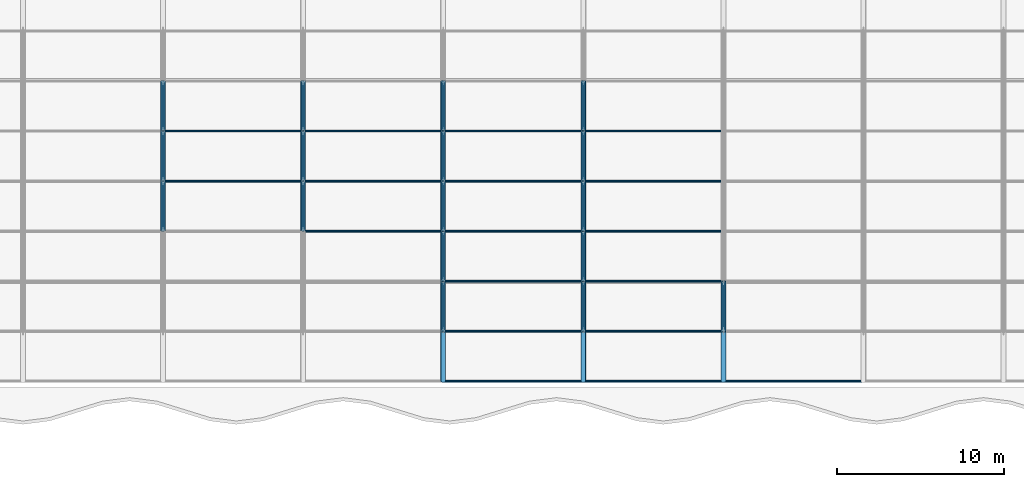
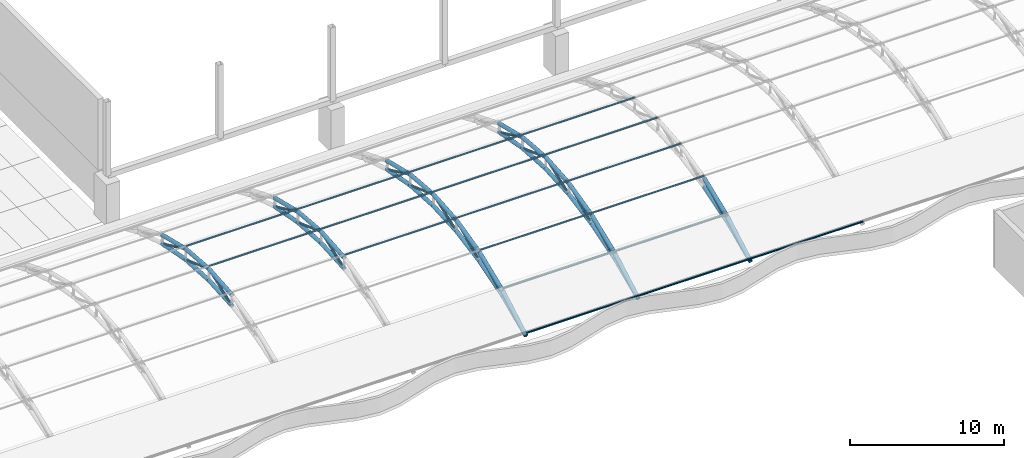
# One storey, part 47 of 163: 75 members.
"""IFC4 building model written with IfcOpenShell, lengths in metres."""

from ifc_helpers import new_model, si_unit, direction, frame, origin, origin_2d, place, context, subcontext, project, spatial, hollow_circle, extrude, material, material_profile, profile_set, type_object, element, save


model = new_model("IFC4")

# Units and contexts
model_context = context("Model", 3, precision=1e-05, world=origin(), true_north=direction((0.0, 1.0)))
body_context = subcontext(model_context, "Body", "Model", "MODEL_VIEW")
ifc_project = project(units=[si_unit("LENGTHUNIT", "METRE"), si_unit("AREAUNIT", "SQUARE_METRE"), si_unit("VOLUMEUNIT", "CUBIC_METRE"), si_unit("PLANEANGLEUNIT", "RADIAN"), si_unit("MASSUNIT", "GRAM", prefix="KILO")], contexts=[model_context])

# Site, building, storey
site_placement = place(None, origin())
site = spatial("IfcSite", under=ifc_project, at=site_placement, CompositionType="ELEMENT")
building_placement = place(site_placement, origin())
building = spatial("IfcBuilding", under=site, at=building_placement, Name="Rain Tree Exposition and Congress Centre", CompositionType="ELEMENT")
storey_placement = place(building_placement, frame((0.0, 0.0, 10.5)))
storey = spatial("IfcBuildingStorey", under=building, at=storey_placement, Name="L02", CompositionType="ELEMENT", Elevation=10.5)

# Members
ifc_material_1 = material(Name="Steel S355J2H", Category="steel")
ifc_material_profile_1 = material_profile(ifc_material_1, hollow_circle(Radius=0.090087890625, WallThickness=0.008056640625, at=origin_2d()), Name="CHS 180x8")
ifc_profile_set_1 = profile_set([ifc_material_profile_1], Name="Steel S355J2H")
member_type_1 = type_object("IfcMemberType", Name="Steel brace member CHS 180x8", PredefinedType="BRACE", material=ifc_profile_set_1)
for number, where, z_axis, x_axis, name in (
    (1, (142.800048828125, 84.60009765625, 2.9423828125), (0.0, 0.940121356633, 0.340839896143), (-1.0, 0.0, 0.0), "Roof truss 18 diagonal 3"),
    (2, (142.800048828125, 90.60009765625, 2.9423828125), (0.0, -0.940121356633, 0.340839896143), (1.0, 0.0, 0.0), "Roof truss 18 diagonal 4"),
):
    element("IfcMember", number, at=place(storey_placement, frame(where, z_axis=z_axis, x_axis=x_axis)), inside=storey, type_object=member_type_1, Name=name, PredefinedType="BRACE", context=body_context, shape_type="SweptSolid", body=[
        extrude(hollow_circle(Radius=0.090087890625, WallThickness=0.008056640625, at=origin_2d()), origin(), (0.0, 0.0, 1.0), 3.191162109375),
    ])
member_1_placement = place(storey_placement, frame((142.800048828125, 93.60009765625, 2.3798828125), z_axis=(0.0, -0.905430616583, 0.424494285655), x_axis=(1.0, 0.0, 0.0)))
element("IfcMember", 3, at=member_1_placement, inside=storey, type_object=member_type_1, Name="Roof truss 18 diagonal 5", PredefinedType="BRACE", context=body_context, shape_type="SweptSolid", body=[
    extrude(hollow_circle(Radius=0.090087890625, WallThickness=0.008056640625, at=origin_2d()), origin(), (0.0, 0.0, 1.0), 3.313232421875),
])
for number, where, z_axis, x_axis, name in (
    (4, (151.199951171875, 84.60009765625, 2.9423828125), (0.0, 0.940121356633, 0.340839896143), (-1.0, 0.0, 0.0), "Roof truss 19 diagonal 3"),
    (5, (151.199951171875, 90.60009765625, 2.9423828125), (0.0, -0.940121356633, 0.340839896143), (1.0, 0.0, 0.0), "Roof truss 19 diagonal 4"),
):
    element("IfcMember", number, at=place(storey_placement, frame(where, z_axis=z_axis, x_axis=x_axis)), inside=storey, type_object=member_type_1, Name=name, PredefinedType="BRACE", context=body_context, shape_type="SweptSolid", body=[
        extrude(hollow_circle(Radius=0.090087890625, WallThickness=0.008056640625, at=origin_2d()), origin(), (0.0, 0.0, 1.0), 3.191162109375),
    ])
member_2_placement = place(storey_placement, frame((151.199951171875, 93.60009765625, 2.3798828125), z_axis=(0.0, -0.905430616583, 0.424494285655), x_axis=(1.0, 0.0, 0.0)))
element("IfcMember", 6, at=member_2_placement, inside=storey, type_object=member_type_1, Name="Roof truss 19 diagonal 5", PredefinedType="BRACE", context=body_context, shape_type="SweptSolid", body=[
    extrude(hollow_circle(Radius=0.090087890625, WallThickness=0.008056640625, at=origin_2d()), origin(), (0.0, 0.0, 1.0), 3.313232421875),
])
member_3_placement = place(storey_placement, frame((159.60009765625, 78.60009765625, 1.4423828125), z_axis=(0.0, 0.880818418444, 0.473454236151), x_axis=(-1.0, 0.0, 0.0)))
element("IfcMember", 7, at=member_3_placement, inside=storey, type_object=member_type_1, Name="Roof truss 20 diagonal 1", PredefinedType="BRACE", context=body_context, shape_type="SweptSolid", body=[
    extrude(hollow_circle(Radius=0.090087890625, WallThickness=0.008056640625, at=origin_2d()), origin(), (0.0, 0.0, 1.0), 3.406005859375),
])
member_4_placement = place(storey_placement, frame((159.60009765625, 81.60009765625, 2.3798828125), z_axis=(0.0, 0.905430616583, 0.424494285655), x_axis=(-1.0, 0.0, 0.0)))
element("IfcMember", 8, at=member_4_placement, inside=storey, type_object=member_type_1, Name="Roof truss 20 diagonal 2", PredefinedType="BRACE", context=body_context, shape_type="SweptSolid", body=[
    extrude(hollow_circle(Radius=0.090087890625, WallThickness=0.008056640625, at=origin_2d()), origin(), (0.0, 0.0, 1.0), 3.313232421875),
])
for number, where, z_axis, x_axis, name in (
    (9, (159.60009765625, 84.60009765625, 2.9423828125), (0.0, 0.940121356633, 0.340839896143), (-1.0, 0.0, 0.0), "Roof truss 20 diagonal 3"),
    (10, (159.60009765625, 90.60009765625, 2.9423828125), (0.0, -0.940121356633, 0.340839896143), (1.0, 0.0, 0.0), "Roof truss 20 diagonal 4"),
):
    element("IfcMember", number, at=place(storey_placement, frame(where, z_axis=z_axis, x_axis=x_axis)), inside=storey, type_object=member_type_1, Name=name, PredefinedType="BRACE", context=body_context, shape_type="SweptSolid", body=[
        extrude(hollow_circle(Radius=0.090087890625, WallThickness=0.008056640625, at=origin_2d()), origin(), (0.0, 0.0, 1.0), 3.191162109375),
    ])
member_5_placement = place(storey_placement, frame((159.60009765625, 93.60009765625, 2.3798828125), z_axis=(0.0, -0.905430616583, 0.424494285655), x_axis=(1.0, 0.0, 0.0)))
element("IfcMember", 11, at=member_5_placement, inside=storey, type_object=member_type_1, Name="Roof truss 20 diagonal 5", PredefinedType="BRACE", context=body_context, shape_type="SweptSolid", body=[
    extrude(hollow_circle(Radius=0.090087890625, WallThickness=0.008056640625, at=origin_2d()), origin(), (0.0, 0.0, 1.0), 3.313232421875),
])
member_6_placement = place(storey_placement, frame((168.0, 78.60009765625, 1.4423828125), z_axis=(0.0, 0.880818418444, 0.473454236151), x_axis=(-1.0, 0.0, 0.0)))
element("IfcMember", 12, at=member_6_placement, inside=storey, type_object=member_type_1, Name="Roof truss 21 diagonal 1", PredefinedType="BRACE", context=body_context, shape_type="SweptSolid", body=[
    extrude(hollow_circle(Radius=0.090087890625, WallThickness=0.008056640625, at=origin_2d()), origin(), (0.0, 0.0, 1.0), 3.406005859375),
])
member_7_placement = place(storey_placement, frame((168.0, 81.60009765625, 2.3798828125), z_axis=(0.0, 0.905430616583, 0.424494285655), x_axis=(-1.0, 0.0, 0.0)))
element("IfcMember", 13, at=member_7_placement, inside=storey, type_object=member_type_1, Name="Roof truss 21 diagonal 2", PredefinedType="BRACE", context=body_context, shape_type="SweptSolid", body=[
    extrude(hollow_circle(Radius=0.090087890625, WallThickness=0.008056640625, at=origin_2d()), origin(), (0.0, 0.0, 1.0), 3.313232421875),
])
for number, where, z_axis, x_axis, name in (
    (14, (168.0, 84.60009765625, 2.9423828125), (0.0, 0.940121356633, 0.340839896143), (-1.0, 0.0, 0.0), "Roof truss 21 diagonal 3"),
    (15, (168.0, 90.60009765625, 2.9423828125), (0.0, -0.940121356633, 0.340839896143), (1.0, 0.0, 0.0), "Roof truss 21 diagonal 4"),
):
    element("IfcMember", number, at=place(storey_placement, frame(where, z_axis=z_axis, x_axis=x_axis)), inside=storey, type_object=member_type_1, Name=name, PredefinedType="BRACE", context=body_context, shape_type="SweptSolid", body=[
        extrude(hollow_circle(Radius=0.090087890625, WallThickness=0.008056640625, at=origin_2d()), origin(), (0.0, 0.0, 1.0), 3.191162109375),
    ])
member_8_placement = place(storey_placement, frame((168.0, 93.60009765625, 2.3798828125), z_axis=(0.0, -0.905430616583, 0.424494285655), x_axis=(1.0, 0.0, 0.0)))
element("IfcMember", 16, at=member_8_placement, inside=storey, type_object=member_type_1, Name="Roof truss 21 diagonal 5", PredefinedType="BRACE", context=body_context, shape_type="SweptSolid", body=[
    extrude(hollow_circle(Radius=0.090087890625, WallThickness=0.008056640625, at=origin_2d()), origin(), (0.0, 0.0, 1.0), 3.313232421875),
])
member_9_placement = place(storey_placement, frame((176.39990234375, 78.60009765625, 1.4423828125), z_axis=(0.0, 0.880818418444, 0.473454236151), x_axis=(-1.0, 0.0, 0.0)))
element("IfcMember", 17, at=member_9_placement, inside=storey, type_object=member_type_1, Name="Roof truss 22 diagonal 1", PredefinedType="BRACE", context=body_context, shape_type="SweptSolid", body=[
    extrude(hollow_circle(Radius=0.090087890625, WallThickness=0.008056640625, at=origin_2d()), origin(), (0.0, 0.0, 1.0), 3.406005859375),
])
ifc_material_2 = material(Name="Steel S355J2H", Category="steel")
ifc_material_profile_2 = material_profile(ifc_material_2, hollow_circle(Radius=0.14990234375, WallThickness=0.013916015625, at=origin_2d()), Name="CHS 300x14")
ifc_profile_set_2 = profile_set([ifc_material_profile_2], Name="Steel S355J2H")
member_type_2 = type_object("IfcMemberType", Name="Steel chord member CHS 300x14", PredefinedType="CHORD", material=ifc_profile_set_2)
member_10_placement = place(storey_placement, frame((142.800048828125, 84.60009765625, 3.786376953125), z_axis=(0.0, 0.996718090462, 0.0809508996), x_axis=(-1.0, 0.0, 0.0)))
element("IfcMember", 18, at=member_10_placement, inside=storey, type_object=member_type_2, Name="Roof truss 18 top chord 4", PredefinedType="CHORD", context=body_context, shape_type="SweptSolid", body=[
    extrude(hollow_circle(Radius=0.14990234375, WallThickness=0.013916015625, at=origin_2d()), origin(), (0.0, 0.0, 1.0), 3.009765625),
])
member_11_placement = place(storey_placement, frame((142.800048828125, 84.60009765625, 2.9423828125), z_axis=(0.0, 0.998052578483, 0.062378286155), x_axis=(-1.0, 0.0, 0.0)))
element("IfcMember", 19, at=member_11_placement, inside=storey, type_object=member_type_2, Name="Roof truss 18 bottom chord 4", PredefinedType="CHORD", context=body_context, shape_type="SweptSolid", body=[
    extrude(hollow_circle(Radius=0.14990234375, WallThickness=0.013916015625, at=origin_2d()), origin(), (0.0, 0.0, 1.0), 3.005859375),
])
member_12_placement = place(storey_placement, frame((142.800048828125, 87.60009765625, 4.030029296875), z_axis=(0.0, 0.996718090462, -0.0809508996), x_axis=(-1.0, 0.0, 0.0)))
element("IfcMember", 20, at=member_12_placement, inside=storey, type_object=member_type_2, Name="Roof truss 18 top chord 5", PredefinedType="CHORD", context=body_context, shape_type="SweptSolid", body=[
    extrude(hollow_circle(Radius=0.14990234375, WallThickness=0.013916015625, at=origin_2d()), origin(), (0.0, 0.0, 1.0), 3.009765625),
])
member_13_placement = place(storey_placement, frame((142.800048828125, 87.60009765625, 3.1298828125), z_axis=(0.0, 0.998052578483, -0.062378286155), x_axis=(-1.0, 0.0, 0.0)))
element("IfcMember", 21, at=member_13_placement, inside=storey, type_object=member_type_2, Name="Roof truss 18 bottom chord 5", PredefinedType="CHORD", context=body_context, shape_type="SweptSolid", body=[
    extrude(hollow_circle(Radius=0.14990234375, WallThickness=0.013916015625, at=origin_2d()), origin(), (0.0, 0.0, 1.0), 3.005859375),
])
member_14_placement = place(storey_placement, frame((142.800048828125, 90.60009765625, 3.786376953125), z_axis=(0.0, 0.971539868448, -0.236876094228), x_axis=(-1.0, 0.0, 0.0)))
element("IfcMember", 22, at=member_14_placement, inside=storey, type_object=member_type_2, Name="Roof truss 18 top chord 6", PredefinedType="CHORD", context=body_context, shape_type="SweptSolid", body=[
    extrude(hollow_circle(Radius=0.14990234375, WallThickness=0.013916015625, at=origin_2d()), origin(), (0.0, 0.0, 1.0), 3.087890625),
])
member_15_placement = place(storey_placement, frame((142.800048828125, 90.60009765625, 2.9423828125), z_axis=(0.0, 0.982872186934, -0.18428853505), x_axis=(-1.0, 0.0, 0.0)))
element("IfcMember", 23, at=member_15_placement, inside=storey, type_object=member_type_2, Name="Roof truss 18 bottom chord 6", PredefinedType="CHORD", context=body_context, shape_type="SweptSolid", body=[
    extrude(hollow_circle(Radius=0.14990234375, WallThickness=0.013916015625, at=origin_2d()), origin(), (0.0, 0.0, 1.0), 3.05224609375),
])
member_16_placement = place(storey_placement, frame((151.199951171875, 84.60009765625, 3.786376953125), z_axis=(0.0, 0.996718090462, 0.0809508996), x_axis=(-1.0, 0.0, 0.0)))
element("IfcMember", 24, at=member_16_placement, inside=storey, type_object=member_type_2, Name="Roof truss 19 top chord 4", PredefinedType="CHORD", context=body_context, shape_type="SweptSolid", body=[
    extrude(hollow_circle(Radius=0.14990234375, WallThickness=0.013916015625, at=origin_2d()), origin(), (0.0, 0.0, 1.0), 3.009765625),
])
member_17_placement = place(storey_placement, frame((151.199951171875, 84.60009765625, 2.9423828125), z_axis=(0.0, 0.998052578483, 0.062378286155), x_axis=(-1.0, 0.0, 0.0)))
element("IfcMember", 25, at=member_17_placement, inside=storey, type_object=member_type_2, Name="Roof truss 19 bottom chord 4", PredefinedType="CHORD", context=body_context, shape_type="SweptSolid", body=[
    extrude(hollow_circle(Radius=0.14990234375, WallThickness=0.013916015625, at=origin_2d()), origin(), (0.0, 0.0, 1.0), 3.005859375),
])
member_18_placement = place(storey_placement, frame((151.199951171875, 87.60009765625, 4.030029296875), z_axis=(0.0, 0.996718090462, -0.0809508996), x_axis=(-1.0, 0.0, 0.0)))
element("IfcMember", 26, at=member_18_placement, inside=storey, type_object=member_type_2, Name="Roof truss 19 top chord 5", PredefinedType="CHORD", context=body_context, shape_type="SweptSolid", body=[
    extrude(hollow_circle(Radius=0.14990234375, WallThickness=0.013916015625, at=origin_2d()), origin(), (0.0, 0.0, 1.0), 3.009765625),
])
member_19_placement = place(storey_placement, frame((151.199951171875, 87.60009765625, 3.1298828125), z_axis=(0.0, 0.998052578483, -0.062378286155), x_axis=(-1.0, 0.0, 0.0)))
element("IfcMember", 27, at=member_19_placement, inside=storey, type_object=member_type_2, Name="Roof truss 19 bottom chord 5", PredefinedType="CHORD", context=body_context, shape_type="SweptSolid", body=[
    extrude(hollow_circle(Radius=0.14990234375, WallThickness=0.013916015625, at=origin_2d()), origin(), (0.0, 0.0, 1.0), 3.005859375),
])
member_20_placement = place(storey_placement, frame((151.199951171875, 90.60009765625, 3.786376953125), z_axis=(0.0, 0.971539868448, -0.236876094228), x_axis=(-1.0, 0.0, 0.0)))
element("IfcMember", 28, at=member_20_placement, inside=storey, type_object=member_type_2, Name="Roof truss 19 top chord 6", PredefinedType="CHORD", context=body_context, shape_type="SweptSolid", body=[
    extrude(hollow_circle(Radius=0.14990234375, WallThickness=0.013916015625, at=origin_2d()), origin(), (0.0, 0.0, 1.0), 3.087890625),
])
member_21_placement = place(storey_placement, frame((151.199951171875, 90.60009765625, 2.9423828125), z_axis=(0.0, 0.982872186934, -0.18428853505), x_axis=(-1.0, 0.0, 0.0)))
element("IfcMember", 29, at=member_21_placement, inside=storey, type_object=member_type_2, Name="Roof truss 19 bottom chord 6", PredefinedType="CHORD", context=body_context, shape_type="SweptSolid", body=[
    extrude(hollow_circle(Radius=0.14990234375, WallThickness=0.013916015625, at=origin_2d()), origin(), (0.0, 0.0, 1.0), 3.05224609375),
])
member_22_placement = place(storey_placement, frame((159.60009765625, 75.60009765625, 0.1298828125), z_axis=(0.0, 0.869238262324, 0.494393409455), x_axis=(-1.0, 0.0, 0.0)))
element("IfcMember", 30, at=member_22_placement, inside=storey, type_object=member_type_2, Name="Roof truss 20 top chord 1", PredefinedType="CHORD", context=body_context, shape_type="SweptSolid", body=[
    extrude(hollow_circle(Radius=0.14990234375, WallThickness=0.013916015625, at=origin_2d()), origin(), (0.0, 0.0, 1.0), 3.451416015625),
])
member_23_placement = place(storey_placement, frame((159.60009765625, 75.60009765625, 0.1298828125), z_axis=(0.0, 0.916157334902, 0.40081883402), x_axis=(-1.0, 0.0, 0.0)))
element("IfcMember", 31, at=member_23_placement, inside=storey, type_object=member_type_2, Name="Roof truss 20 bottom chord 1", PredefinedType="CHORD", context=body_context, shape_type="SweptSolid", body=[
    extrude(hollow_circle(Radius=0.14990234375, WallThickness=0.013916015625, at=origin_2d()), origin(), (0.0, 0.0, 1.0), 3.274658203125),
])
member_24_placement = place(storey_placement, frame((159.60009765625, 78.60009765625, 1.836181640625), z_axis=(0.0, 0.926466577122, 0.376377046956), x_axis=(-1.0, 0.0, 0.0)))
element("IfcMember", 32, at=member_24_placement, inside=storey, type_object=member_type_2, Name="Roof truss 20 top chord 2", PredefinedType="CHORD", context=body_context, shape_type="SweptSolid", body=[
    extrude(hollow_circle(Radius=0.14990234375, WallThickness=0.013916015625, at=origin_2d()), origin(), (0.0, 0.0, 1.0), 3.238037109375),
])
member_25_placement = place(storey_placement, frame((159.60009765625, 78.60009765625, 1.4423828125), z_axis=(0.0, 0.954479978035, 0.298274993136), x_axis=(-1.0, 0.0, 0.0)))
element("IfcMember", 33, at=member_25_placement, inside=storey, type_object=member_type_2, Name="Roof truss 20 bottom chord 2", PredefinedType="CHORD", context=body_context, shape_type="SweptSolid", body=[
    extrude(hollow_circle(Radius=0.14990234375, WallThickness=0.013916015625, at=origin_2d()), origin(), (0.0, 0.0, 1.0), 3.14306640625),
])
member_26_placement = place(storey_placement, frame((159.60009765625, 81.60009765625, 3.054931640625), z_axis=(0.0, 0.971539868448, 0.236876094228), x_axis=(-1.0, 0.0, 0.0)))
element("IfcMember", 34, at=member_26_placement, inside=storey, type_object=member_type_2, Name="Roof truss 20 top chord 3", PredefinedType="CHORD", context=body_context, shape_type="SweptSolid", body=[
    extrude(hollow_circle(Radius=0.14990234375, WallThickness=0.013916015625, at=origin_2d()), origin(), (0.0, 0.0, 1.0), 3.087890625),
])
member_27_placement = place(storey_placement, frame((159.60009765625, 81.60009765625, 2.3798828125), z_axis=(0.0, 0.982872186934, 0.18428853505), x_axis=(-1.0, 0.0, 0.0)))
element("IfcMember", 35, at=member_27_placement, inside=storey, type_object=member_type_2, Name="Roof truss 20 bottom chord 3", PredefinedType="CHORD", context=body_context, shape_type="SweptSolid", body=[
    extrude(hollow_circle(Radius=0.14990234375, WallThickness=0.013916015625, at=origin_2d()), origin(), (0.0, 0.0, 1.0), 3.05224609375),
])
member_28_placement = place(storey_placement, frame((159.60009765625, 84.60009765625, 3.786376953125), z_axis=(0.0, 0.996718090462, 0.0809508996), x_axis=(-1.0, 0.0, 0.0)))
element("IfcMember", 36, at=member_28_placement, inside=storey, type_object=member_type_2, Name="Roof truss 20 top chord 4", PredefinedType="CHORD", context=body_context, shape_type="SweptSolid", body=[
    extrude(hollow_circle(Radius=0.14990234375, WallThickness=0.013916015625, at=origin_2d()), origin(), (0.0, 0.0, 1.0), 3.009765625),
])
member_29_placement = place(storey_placement, frame((159.60009765625, 84.60009765625, 2.9423828125), z_axis=(0.0, 0.998052578483, 0.062378286155), x_axis=(-1.0, 0.0, 0.0)))
element("IfcMember", 37, at=member_29_placement, inside=storey, type_object=member_type_2, Name="Roof truss 20 bottom chord 4", PredefinedType="CHORD", context=body_context, shape_type="SweptSolid", body=[
    extrude(hollow_circle(Radius=0.14990234375, WallThickness=0.013916015625, at=origin_2d()), origin(), (0.0, 0.0, 1.0), 3.005859375),
])
member_30_placement = place(storey_placement, frame((159.60009765625, 87.60009765625, 4.030029296875), z_axis=(0.0, 0.996718090462, -0.0809508996), x_axis=(-1.0, 0.0, 0.0)))
element("IfcMember", 38, at=member_30_placement, inside=storey, type_object=member_type_2, Name="Roof truss 20 top chord 5", PredefinedType="CHORD", context=body_context, shape_type="SweptSolid", body=[
    extrude(hollow_circle(Radius=0.14990234375, WallThickness=0.013916015625, at=origin_2d()), origin(), (0.0, 0.0, 1.0), 3.009765625),
])
member_31_placement = place(storey_placement, frame((159.60009765625, 87.60009765625, 3.1298828125), z_axis=(0.0, 0.998052578483, -0.062378286155), x_axis=(-1.0, 0.0, 0.0)))
element("IfcMember", 39, at=member_31_placement, inside=storey, type_object=member_type_2, Name="Roof truss 20 bottom chord 5", PredefinedType="CHORD", context=body_context, shape_type="SweptSolid", body=[
    extrude(hollow_circle(Radius=0.14990234375, WallThickness=0.013916015625, at=origin_2d()), origin(), (0.0, 0.0, 1.0), 3.005859375),
])
member_32_placement = place(storey_placement, frame((159.60009765625, 90.60009765625, 3.786376953125), z_axis=(0.0, 0.971539868448, -0.236876094228), x_axis=(-1.0, 0.0, 0.0)))
element("IfcMember", 40, at=member_32_placement, inside=storey, type_object=member_type_2, Name="Roof truss 20 top chord 6", PredefinedType="CHORD", context=body_context, shape_type="SweptSolid", body=[
    extrude(hollow_circle(Radius=0.14990234375, WallThickness=0.013916015625, at=origin_2d()), origin(), (0.0, 0.0, 1.0), 3.087890625),
])
member_33_placement = place(storey_placement, frame((159.60009765625, 90.60009765625, 2.9423828125), z_axis=(0.0, 0.982872186934, -0.18428853505), x_axis=(-1.0, 0.0, 0.0)))
element("IfcMember", 41, at=member_33_placement, inside=storey, type_object=member_type_2, Name="Roof truss 20 bottom chord 6", PredefinedType="CHORD", context=body_context, shape_type="SweptSolid", body=[
    extrude(hollow_circle(Radius=0.14990234375, WallThickness=0.013916015625, at=origin_2d()), origin(), (0.0, 0.0, 1.0), 3.05224609375),
])
member_34_placement = place(storey_placement, frame((168.0, 75.60009765625, 0.1298828125), z_axis=(0.0, 0.869238262324, 0.494393409455), x_axis=(-1.0, 0.0, 0.0)))
element("IfcMember", 42, at=member_34_placement, inside=storey, type_object=member_type_2, Name="Roof truss 21 top chord 1", PredefinedType="CHORD", context=body_context, shape_type="SweptSolid", body=[
    extrude(hollow_circle(Radius=0.14990234375, WallThickness=0.013916015625, at=origin_2d()), origin(), (0.0, 0.0, 1.0), 3.451416015625),
])
member_35_placement = place(storey_placement, frame((168.0, 75.60009765625, 0.1298828125), z_axis=(0.0, 0.916157334902, 0.40081883402), x_axis=(-1.0, 0.0, 0.0)))
element("IfcMember", 43, at=member_35_placement, inside=storey, type_object=member_type_2, Name="Roof truss 21 bottom chord 1", PredefinedType="CHORD", context=body_context, shape_type="SweptSolid", body=[
    extrude(hollow_circle(Radius=0.14990234375, WallThickness=0.013916015625, at=origin_2d()), origin(), (0.0, 0.0, 1.0), 3.274658203125),
])
member_36_placement = place(storey_placement, frame((168.0, 78.60009765625, 1.836181640625), z_axis=(0.0, 0.926466577122, 0.376377046956), x_axis=(-1.0, 0.0, 0.0)))
element("IfcMember", 44, at=member_36_placement, inside=storey, type_object=member_type_2, Name="Roof truss 21 top chord 2", PredefinedType="CHORD", context=body_context, shape_type="SweptSolid", body=[
    extrude(hollow_circle(Radius=0.14990234375, WallThickness=0.013916015625, at=origin_2d()), origin(), (0.0, 0.0, 1.0), 3.238037109375),
])
member_37_placement = place(storey_placement, frame((168.0, 78.60009765625, 1.4423828125), z_axis=(0.0, 0.954479978035, 0.298274993136), x_axis=(-1.0, 0.0, 0.0)))
element("IfcMember", 45, at=member_37_placement, inside=storey, type_object=member_type_2, Name="Roof truss 21 bottom chord 2", PredefinedType="CHORD", context=body_context, shape_type="SweptSolid", body=[
    extrude(hollow_circle(Radius=0.14990234375, WallThickness=0.013916015625, at=origin_2d()), origin(), (0.0, 0.0, 1.0), 3.14306640625),
])
member_38_placement = place(storey_placement, frame((168.0, 81.60009765625, 3.054931640625), z_axis=(0.0, 0.971539868448, 0.236876094228), x_axis=(-1.0, 0.0, 0.0)))
element("IfcMember", 46, at=member_38_placement, inside=storey, type_object=member_type_2, Name="Roof truss 21 top chord 3", PredefinedType="CHORD", context=body_context, shape_type="SweptSolid", body=[
    extrude(hollow_circle(Radius=0.14990234375, WallThickness=0.013916015625, at=origin_2d()), origin(), (0.0, 0.0, 1.0), 3.087890625),
])
member_39_placement = place(storey_placement, frame((168.0, 81.60009765625, 2.3798828125), z_axis=(0.0, 0.982872186934, 0.18428853505), x_axis=(-1.0, 0.0, 0.0)))
element("IfcMember", 47, at=member_39_placement, inside=storey, type_object=member_type_2, Name="Roof truss 21 bottom chord 3", PredefinedType="CHORD", context=body_context, shape_type="SweptSolid", body=[
    extrude(hollow_circle(Radius=0.14990234375, WallThickness=0.013916015625, at=origin_2d()), origin(), (0.0, 0.0, 1.0), 3.05224609375),
])
member_40_placement = place(storey_placement, frame((168.0, 84.60009765625, 3.786376953125), z_axis=(0.0, 0.996718090462, 0.0809508996), x_axis=(-1.0, 0.0, 0.0)))
element("IfcMember", 48, at=member_40_placement, inside=storey, type_object=member_type_2, Name="Roof truss 21 top chord 4", PredefinedType="CHORD", context=body_context, shape_type="SweptSolid", body=[
    extrude(hollow_circle(Radius=0.14990234375, WallThickness=0.013916015625, at=origin_2d()), origin(), (0.0, 0.0, 1.0), 3.009765625),
])
member_41_placement = place(storey_placement, frame((168.0, 84.60009765625, 2.9423828125), z_axis=(0.0, 0.998052578483, 0.062378286155), x_axis=(-1.0, 0.0, 0.0)))
element("IfcMember", 49, at=member_41_placement, inside=storey, type_object=member_type_2, Name="Roof truss 21 bottom chord 4", PredefinedType="CHORD", context=body_context, shape_type="SweptSolid", body=[
    extrude(hollow_circle(Radius=0.14990234375, WallThickness=0.013916015625, at=origin_2d()), origin(), (0.0, 0.0, 1.0), 3.005859375),
])
member_42_placement = place(storey_placement, frame((168.0, 87.60009765625, 4.030029296875), z_axis=(0.0, 0.996718090462, -0.0809508996), x_axis=(-1.0, 0.0, 0.0)))
element("IfcMember", 50, at=member_42_placement, inside=storey, type_object=member_type_2, Name="Roof truss 21 top chord 5", PredefinedType="CHORD", context=body_context, shape_type="SweptSolid", body=[
    extrude(hollow_circle(Radius=0.14990234375, WallThickness=0.013916015625, at=origin_2d()), origin(), (0.0, 0.0, 1.0), 3.009765625),
])
member_43_placement = place(storey_placement, frame((168.0, 87.60009765625, 3.1298828125), z_axis=(0.0, 0.998052578483, -0.062378286155), x_axis=(-1.0, 0.0, 0.0)))
element("IfcMember", 51, at=member_43_placement, inside=storey, type_object=member_type_2, Name="Roof truss 21 bottom chord 5", PredefinedType="CHORD", context=body_context, shape_type="SweptSolid", body=[
    extrude(hollow_circle(Radius=0.14990234375, WallThickness=0.013916015625, at=origin_2d()), origin(), (0.0, 0.0, 1.0), 3.005859375),
])
member_44_placement = place(storey_placement, frame((168.0, 90.60009765625, 3.786376953125), z_axis=(0.0, 0.971539868448, -0.236876094228), x_axis=(-1.0, 0.0, 0.0)))
element("IfcMember", 52, at=member_44_placement, inside=storey, type_object=member_type_2, Name="Roof truss 21 top chord 6", PredefinedType="CHORD", context=body_context, shape_type="SweptSolid", body=[
    extrude(hollow_circle(Radius=0.14990234375, WallThickness=0.013916015625, at=origin_2d()), origin(), (0.0, 0.0, 1.0), 3.087890625),
])
member_45_placement = place(storey_placement, frame((168.0, 90.60009765625, 2.9423828125), z_axis=(0.0, 0.982872186934, -0.18428853505), x_axis=(-1.0, 0.0, 0.0)))
element("IfcMember", 53, at=member_45_placement, inside=storey, type_object=member_type_2, Name="Roof truss 21 bottom chord 6", PredefinedType="CHORD", context=body_context, shape_type="SweptSolid", body=[
    extrude(hollow_circle(Radius=0.14990234375, WallThickness=0.013916015625, at=origin_2d()), origin(), (0.0, 0.0, 1.0), 3.05224609375),
])
member_46_placement = place(storey_placement, frame((176.39990234375, 75.60009765625, 0.1298828125), z_axis=(0.0, 0.869238262324, 0.494393409455), x_axis=(-1.0, 0.0, 0.0)))
element("IfcMember", 54, at=member_46_placement, inside=storey, type_object=member_type_2, Name="Roof truss 22 top chord 1", PredefinedType="CHORD", context=body_context, shape_type="SweptSolid", body=[
    extrude(hollow_circle(Radius=0.14990234375, WallThickness=0.013916015625, at=origin_2d()), origin(), (0.0, 0.0, 1.0), 3.451416015625),
])
member_47_placement = place(storey_placement, frame((176.39990234375, 75.60009765625, 0.1298828125), z_axis=(0.0, 0.916157334902, 0.40081883402), x_axis=(-1.0, 0.0, 0.0)))
element("IfcMember", 55, at=member_47_placement, inside=storey, type_object=member_type_2, Name="Roof truss 22 bottom chord 1", PredefinedType="CHORD", context=body_context, shape_type="SweptSolid", body=[
    extrude(hollow_circle(Radius=0.14990234375, WallThickness=0.013916015625, at=origin_2d()), origin(), (0.0, 0.0, 1.0), 3.274658203125),
])
member_48_placement = place(storey_placement, frame((176.39990234375, 78.60009765625, 1.836181640625), z_axis=(0.0, 0.926466577122, 0.376377046956), x_axis=(-1.0, 0.0, 0.0)))
element("IfcMember", 56, at=member_48_placement, inside=storey, type_object=member_type_2, Name="Roof truss 22 top chord 2", PredefinedType="CHORD", context=body_context, shape_type="SweptSolid", body=[
    extrude(hollow_circle(Radius=0.14990234375, WallThickness=0.013916015625, at=origin_2d()), origin(), (0.0, 0.0, 1.0), 3.238037109375),
])
member_49_placement = place(storey_placement, frame((176.39990234375, 78.60009765625, 1.4423828125), z_axis=(0.0, 0.954479978035, 0.298274993136), x_axis=(-1.0, 0.0, 0.0)))
element("IfcMember", 57, at=member_49_placement, inside=storey, type_object=member_type_2, Name="Roof truss 22 bottom chord 2", PredefinedType="CHORD", context=body_context, shape_type="SweptSolid", body=[
    extrude(hollow_circle(Radius=0.14990234375, WallThickness=0.013916015625, at=origin_2d()), origin(), (0.0, 0.0, 1.0), 3.14306640625),
])
ifc_material_3 = material(Name="Steel S355J2H", Category="steel")
ifc_material_profile_3 = material_profile(ifc_material_3, hollow_circle(Radius=0.070068359375, WallThickness=0.006103515625, at=origin_2d()), Name="CHS 140x6")
ifc_profile_set_3 = profile_set([ifc_material_profile_3], Name="Steel S355J2H")
member_type_3 = type_object("IfcMemberType", Name="Steel purlin member CHS 140x6", PredefinedType="PURLIN", material=ifc_profile_set_3)
for number, where, z_axis, x_axis, name in (
    (58, (159.60009765625, 75.60009765625, 0.35009765625), (1.0, 0.0, 0.0), (0.0, 1.0, 0.0), "Roof purlin 1.20"),
    (59, (168.0, 75.60009765625, 0.35009765625), (1.0, 0.0, 0.0), (0.0, 1.0, 0.0), "Roof purlin 1.21"),
):
    element("IfcMember", number, at=place(storey_placement, frame(where, z_axis=z_axis, x_axis=x_axis)), inside=storey, type_object=member_type_3, Name=name, PredefinedType="PURLIN", context=body_context, shape_type="SweptSolid", body=[
        extrude(hollow_circle(Radius=0.070068359375, WallThickness=0.006103515625, at=origin_2d()), origin(), (0.0, 0.0, 1.0), 8.39990234375),
    ])
member_50_placement = place(storey_placement, frame((176.39990234375, 75.60009765625, 0.35009765625), z_axis=(1.0, 0.0, 0.0), x_axis=(0.0, 1.0, 0.0)))
element("IfcMember", 60, at=member_50_placement, inside=storey, type_object=member_type_3, Name="Roof purlin 1.22", PredefinedType="PURLIN", context=body_context, shape_type="SweptSolid", body=[
    extrude(hollow_circle(Radius=0.070068359375, WallThickness=0.006103515625, at=origin_2d()), origin(), (0.0, 0.0, 1.0), 8.400146484375),
])
for number, where, z_axis, x_axis, name in (
    (61, (159.60009765625, 78.60009765625, 2.056396484375), (1.0, 0.0, 0.0), (0.0, 1.0, 0.0), "Roof purlin 2.20"),
    (62, (168.0, 78.60009765625, 2.056396484375), (1.0, 0.0, 0.0), (0.0, 1.0, 0.0), "Roof purlin 2.21"),
    (63, (159.60009765625, 81.60009765625, 3.27490234375), (1.0, 0.0, 0.0), (0.0, 1.0, 0.0), "Roof purlin 3.20"),
    (64, (168.0, 81.60009765625, 3.27490234375), (1.0, 0.0, 0.0), (0.0, 1.0, 0.0), "Roof purlin 3.21"),
):
    element("IfcMember", number, at=place(storey_placement, frame(where, z_axis=z_axis, x_axis=x_axis)), inside=storey, type_object=member_type_3, Name=name, PredefinedType="PURLIN", context=body_context, shape_type="SweptSolid", body=[
        extrude(hollow_circle(Radius=0.070068359375, WallThickness=0.006103515625, at=origin_2d()), origin(), (0.0, 0.0, 1.0), 8.39990234375),
    ])
member_51_placement = place(storey_placement, frame((151.199951171875, 84.60009765625, 4.00634765625), z_axis=(1.0, 0.0, 0.0), x_axis=(0.0, 1.0, 0.0)))
element("IfcMember", 65, at=member_51_placement, inside=storey, type_object=member_type_3, Name="Roof purlin 4.19", PredefinedType="PURLIN", context=body_context, shape_type="SweptSolid", body=[
    extrude(hollow_circle(Radius=0.070068359375, WallThickness=0.006103515625, at=origin_2d()), origin(), (0.0, 0.0, 1.0), 8.400146484375),
])
for number, where, z_axis, x_axis, name in (
    (66, (159.60009765625, 84.60009765625, 4.00634765625), (1.0, 0.0, 0.0), (0.0, 1.0, 0.0), "Roof purlin 4.20"),
    (67, (168.0, 84.60009765625, 4.00634765625), (1.0, 0.0, 0.0), (0.0, 1.0, 0.0), "Roof purlin 4.21"),
    (68, (142.800048828125, 87.60009765625, 4.25), (1.0, 0.0, 0.0), (0.0, 1.0, 0.0), "Roof purlin 5.18"),
):
    element("IfcMember", number, at=place(storey_placement, frame(where, z_axis=z_axis, x_axis=x_axis)), inside=storey, type_object=member_type_3, Name=name, PredefinedType="PURLIN", context=body_context, shape_type="SweptSolid", body=[
        extrude(hollow_circle(Radius=0.070068359375, WallThickness=0.006103515625, at=origin_2d()), origin(), (0.0, 0.0, 1.0), 8.39990234375),
    ])
member_52_placement = place(storey_placement, frame((151.199951171875, 87.60009765625, 4.25), z_axis=(1.0, 0.0, 0.0), x_axis=(0.0, 1.0, 0.0)))
element("IfcMember", 69, at=member_52_placement, inside=storey, type_object=member_type_3, Name="Roof purlin 5.19", PredefinedType="PURLIN", context=body_context, shape_type="SweptSolid", body=[
    extrude(hollow_circle(Radius=0.070068359375, WallThickness=0.006103515625, at=origin_2d()), origin(), (0.0, 0.0, 1.0), 8.400146484375),
])
for number, where, z_axis, x_axis, name in (
    (70, (159.60009765625, 87.60009765625, 4.25), (1.0, 0.0, 0.0), (0.0, 1.0, 0.0), "Roof purlin 5.20"),
    (71, (168.0, 87.60009765625, 4.25), (1.0, 0.0, 0.0), (0.0, 1.0, 0.0), "Roof purlin 5.21"),
    (72, (142.800048828125, 90.60009765625, 4.00634765625), (1.0, 0.0, 0.0), (0.0, 1.0, 0.0), "Roof purlin 6.18"),
):
    element("IfcMember", number, at=place(storey_placement, frame(where, z_axis=z_axis, x_axis=x_axis)), inside=storey, type_object=member_type_3, Name=name, PredefinedType="PURLIN", context=body_context, shape_type="SweptSolid", body=[
        extrude(hollow_circle(Radius=0.070068359375, WallThickness=0.006103515625, at=origin_2d()), origin(), (0.0, 0.0, 1.0), 8.39990234375),
    ])
member_53_placement = place(storey_placement, frame((151.199951171875, 90.60009765625, 4.00634765625), z_axis=(1.0, 0.0, 0.0), x_axis=(0.0, 1.0, 0.0)))
element("IfcMember", 73, at=member_53_placement, inside=storey, type_object=member_type_3, Name="Roof purlin 6.19", PredefinedType="PURLIN", context=body_context, shape_type="SweptSolid", body=[
    extrude(hollow_circle(Radius=0.070068359375, WallThickness=0.006103515625, at=origin_2d()), origin(), (0.0, 0.0, 1.0), 8.400146484375),
])
for number, where, z_axis, x_axis, name in (
    (74, (159.60009765625, 90.60009765625, 4.00634765625), (1.0, 0.0, 0.0), (0.0, 1.0, 0.0), "Roof purlin 6.20"),
    (75, (168.0, 90.60009765625, 4.00634765625), (1.0, 0.0, 0.0), (0.0, 1.0, 0.0), "Roof purlin 6.21"),
):
    element("IfcMember", number, at=place(storey_placement, frame(where, z_axis=z_axis, x_axis=x_axis)), inside=storey, type_object=member_type_3, Name=name, PredefinedType="PURLIN", context=body_context, shape_type="SweptSolid", body=[
        extrude(hollow_circle(Radius=0.070068359375, WallThickness=0.006103515625, at=origin_2d()), origin(), (0.0, 0.0, 1.0), 8.39990234375),
    ])

save(model, "model.ifc")
